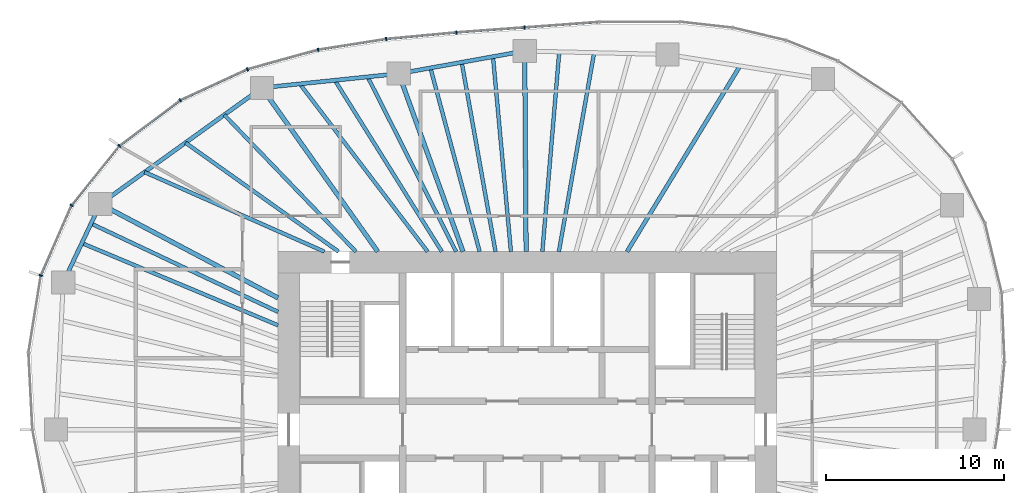
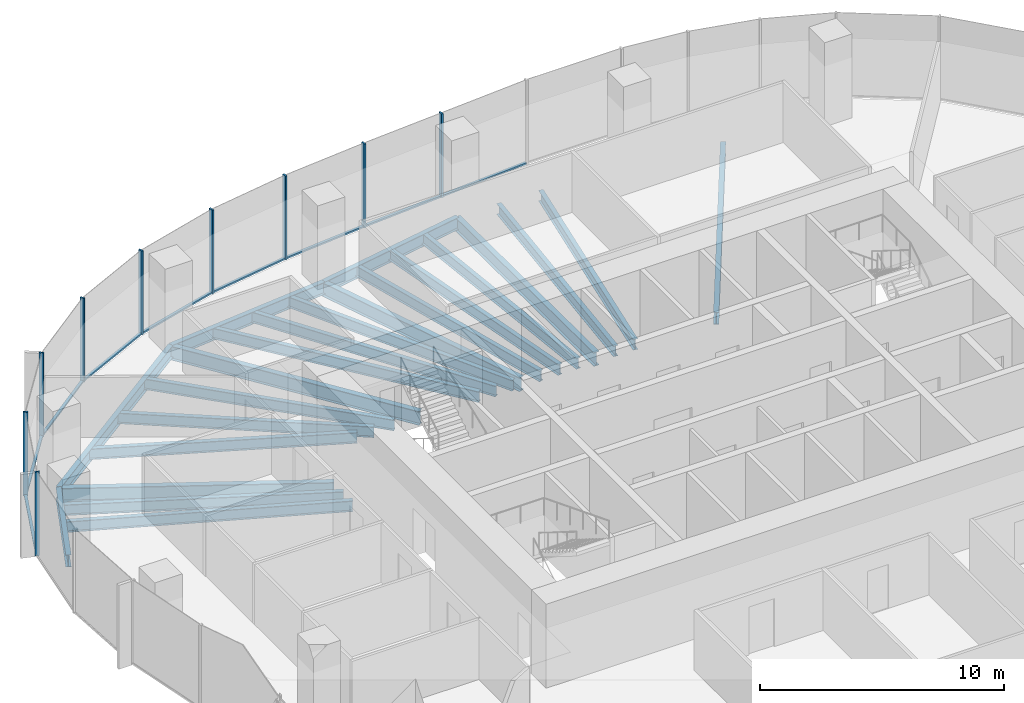
# One storey, part 5 of 12: 22 beams, 18 members, 6 elements without a shape of their own.
"""IFC4 building model written with IfcOpenShell, lengths in metres."""

import ifcopenshell
import ifcopenshell.guid

model = None  # the IFC model being written
_history = None  # IfcOwnerHistory: only IFC2X3 demands one
_inside = {}  # id of a spatial element -> (the spatial element, [elements in it])
_under = {}  # id of a project, library or spatial element -> (it, [spatial elements below it])
_declared = {}  # id of a project -> (the project, [libraries it declares])
_typed = {}  # id of a type object -> (the type object, [elements of that type])
_made_of = {}  # id of a material, layer set ... -> (it, [elements and type objects made of it])


def new_model(schema):
    """Start an empty IFC model of exactly this schema.

    Asked for "IFC4X3", IfcOpenShell would pick the latest addendum, in which some entities
    have other attributes; the version numbers below select the first issue.
    IFC2X3 requires an IfcOwnerHistory on every rooted entity: one is made here for all.
    """
    global model, _history
    if schema == "IFC4X3":
        model = ifcopenshell.file(schema_version=(4, 3, 0, 0))
    else:
        model = ifcopenshell.file(schema=schema)
    _inside.clear()
    _under.clear()
    _declared.clear()
    _typed.clear()
    _made_of.clear()
    _history = None
    if model.schema == "IFC2X3":
        org = make("IfcOrganization", Name="unknown")
        user = make(
            "IfcPersonAndOrganization",
            ThePerson=make("IfcPerson", FamilyName="unknown"),
            TheOrganization=org,
        )
        app = make(
            "IfcApplication",
            ApplicationDeveloper=org,
            Version="unknown",
            ApplicationFullName="unknown",
            ApplicationIdentifier="unknown",
        )
        _history = make(
            "IfcOwnerHistory",
            OwningUser=user,
            OwningApplication=app,
            ChangeAction="ADDED",
            CreationDate=0,
        )
    return model


def make(cls, **values):
    """One entity of the class cls with the attributes given. An attribute that is None is left unset."""
    return model.create_entity(
        cls, **{name: value for name, value in values.items() if value is not None}
    )


def rooted(cls, **values):
    """An entity with a GlobalId (a new one), such as an element, a storey or a relation."""
    return make(cls, GlobalId=ifcopenshell.guid.new(), OwnerHistory=_history, **values)


def si_unit(unit_type, name, prefix=None):
    """IfcSIUnit, for example si_unit("LENGTHUNIT", "METRE", prefix="MILLI")."""
    return make("IfcSIUnit", UnitType=unit_type, Prefix=prefix, Name=name)


def assignment(units):
    """IfcUnitAssignment: the units of a project."""
    return None if units is None else make("IfcUnitAssignment", Units=units)


def point(xyz):
    """IfcCartesianPoint."""
    return None if xyz is None else make("IfcCartesianPoint", Coordinates=xyz)


def direction(xyz):
    """IfcDirection."""
    return None if xyz is None else make("IfcDirection", DirectionRatios=xyz)


def frame(location, z_axis=None, x_axis=None):
    """IfcAxis2Placement3D, a coordinate frame: its origin and axes. An axis left out is left unset."""
    return make(
        "IfcAxis2Placement3D",
        Location=point(location),
        Axis=direction(z_axis),
        RefDirection=direction(x_axis),
    )


def frame_2d(location, x_axis=None):
    """IfcAxis2Placement2D, a coordinate frame in the plane: its origin and x axis."""
    return make(
        "IfcAxis2Placement2D", Location=point(location), RefDirection=direction(x_axis)
    )


def origin():
    """The frame at (0, 0, 0) with its axes left unset."""
    return frame((0.0, 0.0, 0.0))


def origin_2d():
    """The frame at (0, 0) in the plane with its x axis left unset."""
    return frame_2d((0.0, 0.0))


def place(relative_to, where):
    """IfcLocalPlacement: puts the frame where relative to a parent placement (None: the world)."""
    return make(
        "IfcLocalPlacement", PlacementRelTo=relative_to, RelativePlacement=where
    )


def context(
    kind, dimensions, precision=None, world=None, true_north=None, identifier=None
):
    """IfcGeometricRepresentationContext, for example the 3D "Model" context."""
    return make(
        "IfcGeometricRepresentationContext",
        ContextIdentifier=identifier,
        ContextType=kind,
        CoordinateSpaceDimension=dimensions,
        Precision=precision,
        WorldCoordinateSystem=world,
        TrueNorth=true_north,
    )


def subcontext(parent, identifier, kind, view, scale=None):
    """IfcGeometricRepresentationSubContext, for example "Body" below "Model"."""
    return make(
        "IfcGeometricRepresentationSubContext",
        ContextIdentifier=identifier,
        ContextType=kind,
        ParentContext=parent,
        TargetScale=scale,
        TargetView=view,
    )


def project(units=None, contexts=None):
    """IfcProject with its units and contexts."""
    return rooted(
        "IfcProject",
        Name="project",
        RepresentationContexts=contexts,
        UnitsInContext=assignment(units),
    )


def spatial(cls, under=None, at=None, **own):
    """A site, building, storey or space (cls), placed at a placement, below another one or the project."""
    s = rooted(cls, ObjectPlacement=at, **own)
    if under is not None:
        _under.setdefault(under.id(), (under, []))[1].append(s)
    return s


def profile(cls, at=None, kind="AREA", **sizes):
    """A parametric profile (cls). Its sizes go by their IFC names, for example OverallWidth=200.0."""
    return make(cls, ProfileType=kind, Position=at, **sizes)


def rectangle(**sizes):
    """IfcRectangleProfileDef."""
    return profile("IfcRectangleProfileDef", **sizes)


def i_section(**sizes):
    """IfcIShapeProfileDef."""
    return profile("IfcIShapeProfileDef", **sizes)


def extrude(swept, where, along, depth):
    """IfcExtrudedAreaSolid: the profile swept, set in the frame where, extruded along a direction by depth."""
    return make(
        "IfcExtrudedAreaSolid",
        SweptArea=swept,
        Position=where,
        ExtrudedDirection=direction(along),
        Depth=depth,
    )


def shape(context_of_items, identifier, shape_type, items):
    """IfcShapeRepresentation: the items that make up one representation, for example the "Body"."""
    return make(
        "IfcShapeRepresentation",
        ContextOfItems=context_of_items,
        RepresentationIdentifier=identifier,
        RepresentationType=shape_type,
        Items=items,
    )


def material(Name=None, Category=None):
    """IfcMaterial."""
    return make("IfcMaterial", Name=Name, Category=Category)


def material_profile(
    of_material, cross_section, Name=None, Category=None, Priority=None
):
    """IfcMaterialProfile: a cross section and its material."""
    return make(
        "IfcMaterialProfile",
        Name=Name,
        Material=of_material,
        Profile=cross_section,
        Priority=Priority,
        Category=Category,
    )


def profile_set(profiles, Name=None, composite=None):
    """IfcMaterialProfileSet."""
    return make(
        "IfcMaterialProfileSet",
        Name=Name,
        MaterialProfiles=profiles,
        CompositeProfile=composite,
    )


def made_of(thing, what):
    """Note that an element or type object is made of a material, layer set ...; save() writes the relation."""
    if what is not None:
        _made_of.setdefault(what.id(), (what, []))[1].append(thing)
    return thing


def type_object(cls, material=None, **own):
    """A type object (cls), such as IfcWallType, which elements share."""
    return made_of(rooted(cls, **own), material)


def element(
    cls,
    number,
    at=None,
    inside=None,
    cuts=None,
    type_object=None,
    material=None,
    context=None,
    identifier="Body",
    shape_type=None,
    held_by="IfcProductDefinitionShape",
    body=None,
    shapes=None,
    **own,
):
    """One element of the class cls, such as IfcWall. Its Tag is "e" and its number.

    at: its placement. inside: the storey or other place that contains it. cuts: it is an
    opening in that element (IfcRelVoidsElement). A single representation is given by context,
    identifier, shape_type and body (its items); several are given by shapes. held_by: the class
    of the entity that holds the representations. save() writes the other relations.
    """
    e = rooted(cls, Tag="e%d" % number, ObjectPlacement=at, **own)
    if body is not None:
        shapes = [shape(context, identifier, shape_type, body)]
    if shapes is not None:
        e.Representation = make(held_by, Representations=shapes)
    if inside is not None:
        _inside.setdefault(inside.id(), (inside, []))[1].append(e)
    if cuts is not None:
        rooted(
            "IfcRelVoidsElement", RelatingBuildingElement=cuts, RelatedOpeningElement=e
        )
    if type_object is not None:
        _typed.setdefault(type_object.id(), (type_object, []))[1].append(e)
    return made_of(e, material)


def aggregate(whole, parts):
    """IfcRelAggregates: a whole, such as a stair, and the parts it consists of."""
    return rooted("IfcRelAggregates", RelatingObject=whole, RelatedObjects=parts)


def save(model, path):
    """Write the relations noted so far, then the file.

    IfcRelAggregates (storeys below a building ...), IfcRelContainedInSpatialStructure (elements
    in a storey), IfcRelDefinesByType, IfcRelAssociatesMaterial and IfcRelDeclares: one each for
    every whole, place, type object, material and project.
    """
    for whole, parts in _under.values():
        aggregate(whole, parts)
    for where, things in _inside.values():
        rooted(
            "IfcRelContainedInSpatialStructure",
            RelatedElements=things,
            RelatingStructure=where,
        )
    for kind, things in _typed.values():
        rooted("IfcRelDefinesByType", RelatedObjects=things, RelatingType=kind)
    for what, things in _made_of.values():
        rooted("IfcRelAssociatesMaterial", RelatedObjects=things, RelatingMaterial=what)
    for by, libraries in _declared.values():
        rooted("IfcRelDeclares", RelatingContext=by, RelatedDefinitions=libraries)
    model.write(path)


model = new_model("IFC4")

# Units and contexts
model_context = context("Model", 3, precision=1e-05, world=origin(), true_north=direction((0.0, 1.0)))
body_context = subcontext(model_context, "Body", "Model", "MODEL_VIEW")
ifc_project = project(units=[si_unit("LENGTHUNIT", "METRE"), si_unit("AREAUNIT", "SQUARE_METRE"), si_unit("VOLUMEUNIT", "CUBIC_METRE"), si_unit("PLANEANGLEUNIT", "RADIAN"), si_unit("MASSUNIT", "GRAM", prefix="KILO")], contexts=[model_context])

# Site, building, storey
site_placement = place(None, origin())
site = spatial("IfcSite", under=ifc_project, at=site_placement, CompositionType="ELEMENT")
building_placement = place(site_placement, origin())
building = spatial("IfcBuilding", under=site, at=building_placement, Name="Ghaith Harvest Tower", CompositionType="ELEMENT")
storey_placement = place(building_placement, frame((0.0, 0.0, 228.39990234375)))
storey = spatial("IfcBuildingStorey", under=building, at=storey_placement, Name="L50", CompositionType="ELEMENT", Elevation=228.39990234375)

# Curtain wall, members
ifc_material_1 = material(Name="Black anodised aluminium and fritted glass", Category="aluminium")
curtain_wall_type = type_object("IfcCurtainWallType", Name="CW-H CURTAIN WALL", PredefinedType="NOTDEFINED", material=ifc_material_1)
curtain_wall_1_placement = place(storey_placement, origin())
curtain_wall_1 = element("IfcCurtainWall", 1, at=curtain_wall_1_placement, inside=storey, type_object=curtain_wall_type, Name="Curtain wall CW-H bay 06 L50", PredefinedType="NOTDEFINED")
ifc_material_2 = material(Name="Aluminium, black anodised", Category="aluminium")
ifc_material_profile_1 = material_profile(ifc_material_2, rectangle(XDim=0.080078125, YDim=0.199951171875, at=origin_2d()), Name="CW-H MULLION 80x200")
ifc_profile_set_1 = profile_set([ifc_material_profile_1], Name="Aluminium, black anodised")
member_type_1 = type_object("IfcMemberType", Name="CW-H MULLION 80x200", PredefinedType="MULLION", material=ifc_profile_set_1)
member_1_placement = place(storey_placement, frame((-0.154541015625, 22.590576171875, 0.0), z_axis=(0.0, 0.0, 1.0), x_axis=(-0.997329249665, -0.073036756239, 0.0)))
member_1 = element("IfcMember", 2, at=member_1_placement, type_object=member_type_1, Name="CW-H mullion 1 bay 06 L50", PredefinedType="MULLION", context=body_context, shape_type="SweptSolid", body=[
    extrude(rectangle(XDim=0.080078125, YDim=0.199951171875, at=origin_2d()), origin(), (0.0, 0.0, 1.0), 4.2001953125),
])
member_2_placement = place(storey_placement, frame((-3.984375, 22.310302734375, 0.0), z_axis=(0.0, 0.0, 1.0), x_axis=(-0.996522526822, -0.083323787336, 0.0)))
member_2 = element("IfcMember", 3, at=member_2_placement, type_object=member_type_1, Name="CW-H mullion 2 bay 06 L50", PredefinedType="MULLION", context=body_context, shape_type="SweptSolid", body=[
    extrude(rectangle(XDim=0.080078125, YDim=0.199951171875, at=origin_2d()), origin(), (0.0, 0.0, 1.0), 4.2001953125),
])

curtain_wall_2_placement = place(storey_placement, origin())
curtain_wall_2 = element("IfcCurtainWall", 4, at=curtain_wall_2_placement, inside=storey, type_object=curtain_wall_type, Name="Curtain wall CW-H bay 07 L50", PredefinedType="NOTDEFINED")
member_3_placement = place(storey_placement, frame((-7.924560546875, 21.94091796875, 0.0), z_axis=(0.0, 0.0, 1.0), x_axis=(-0.992235485325, -0.124373396119, 0.0)))
member_3 = element("IfcMember", 5, at=member_3_placement, type_object=member_type_1, Name="CW-H mullion 1 bay 07 L50", PredefinedType="MULLION", context=body_context, shape_type="SweptSolid", body=[
    extrude(rectangle(XDim=0.080078125, YDim=0.199951171875, at=origin_2d()), origin(), (0.0, 0.0, 1.0), 4.2001953125),
])
member_4_placement = place(storey_placement, frame((-11.75244140625, 21.336669921875, 0.0), z_axis=(0.0, 0.0, 1.0), x_axis=(-0.977086484172, -0.212842670646, 0.0)))
member_4 = element("IfcMember", 6, at=member_4_placement, type_object=member_type_1, Name="CW-H mullion 2 bay 07 L50", PredefinedType="MULLION", context=body_context, shape_type="SweptSolid", body=[
    extrude(rectangle(XDim=0.080078125, YDim=0.199951171875, at=origin_2d()), origin(), (0.0, 0.0, 1.0), 4.2001953125),
])

curtain_wall_3_placement = place(storey_placement, origin())
curtain_wall_3 = element("IfcCurtainWall", 7, at=curtain_wall_3_placement, inside=storey, type_object=curtain_wall_type, Name="Curtain wall CW-H bay 08 L50", PredefinedType="NOTDEFINED")
member_5_placement = place(storey_placement, frame((-15.720947265625, 20.242431640625, 0.0), z_axis=(0.0, 0.0, 1.0), x_axis=(-0.938930986476, -0.344105510906, 0.0)))
member_5 = element("IfcMember", 8, at=member_5_placement, type_object=member_type_1, Name="CW-H mullion 1 bay 08 L50", PredefinedType="MULLION", context=body_context, shape_type="SweptSolid", body=[
    extrude(rectangle(XDim=0.080078125, YDim=0.199951171875, at=origin_2d()), origin(), (0.0, 0.0, 1.0), 4.2001953125),
])
member_6_placement = place(storey_placement, frame((-19.4951171875, 18.4990234375, 0.0), z_axis=(0.0, 0.0, 1.0), x_axis=(-0.857998754004, -0.513651767376, 0.0)))
member_6 = element("IfcMember", 9, at=member_6_placement, type_object=member_type_1, Name="CW-H mullion 2 bay 08 L50", PredefinedType="MULLION", context=body_context, shape_type="SweptSolid", body=[
    extrude(rectangle(XDim=0.080078125, YDim=0.199951171875, at=origin_2d()), origin(), (0.0, 0.0, 1.0), 4.2001953125),
])

curtain_wall_4_placement = place(storey_placement, origin())
curtain_wall_4 = element("IfcCurtainWall", 10, at=curtain_wall_4_placement, inside=storey, type_object=curtain_wall_type, Name="Curtain wall CW-H bay 09 L50", PredefinedType="NOTDEFINED")
member_7_placement = place(storey_placement, frame((-22.908203125, 15.939697265625, 0.0), z_axis=(0.0, 0.0, 1.0), x_axis=(-0.719146135082, -0.694858860774, 0.0)))
member_7 = element("IfcMember", 11, at=member_7_placement, type_object=member_type_1, Name="CW-H mullion 1 bay 09 L50", PredefinedType="MULLION", context=body_context, shape_type="SweptSolid", body=[
    extrude(rectangle(XDim=0.080078125, YDim=0.199951171875, at=origin_2d()), origin(), (0.0, 0.0, 1.0), 4.2001953125),
])
member_8_placement = place(storey_placement, frame((-25.599609375, 12.6005859375, 0.0), z_axis=(0.0, 0.0, 1.0), x_axis=(-0.518769201232, -0.854914332464, 0.0)))
member_8 = element("IfcMember", 12, at=member_8_placement, type_object=member_type_1, Name="CW-H mullion 2 bay 09 L50", PredefinedType="MULLION", context=body_context, shape_type="SweptSolid", body=[
    extrude(rectangle(XDim=0.080078125, YDim=0.199951171875, at=origin_2d()), origin(), (0.0, 0.0, 1.0), 4.2001953125),
])

# Curtain wall, member
curtain_wall_5_placement = place(storey_placement, origin())
curtain_wall_5 = element("IfcCurtainWall", 13, at=curtain_wall_5_placement, inside=storey, type_object=curtain_wall_type, Name="Curtain wall CW-H bay 10 L50", PredefinedType="NOTDEFINED")
member_9_placement = place(storey_placement, frame((-27.32568359375, 8.659912109375, 0.0), z_axis=(0.0, 0.0, 1.0), x_axis=(-0.280520268431, -0.959848102045, 0.0)))
member_9 = element("IfcMember", 14, at=member_9_placement, type_object=member_type_1, Name="CW-H mullion 1 bay 10 L50", PredefinedType="MULLION", context=body_context, shape_type="SweptSolid", body=[
    extrude(rectangle(XDim=0.080078125, YDim=0.199951171875, at=origin_2d()), origin(), (0.0, 0.0, 1.0), 4.2001953125),
])
aggregate(curtain_wall_5, [member_9])

curtain_wall_6_placement = place(storey_placement, origin())
curtain_wall_6 = element("IfcCurtainWall", 15, at=curtain_wall_6_placement, inside=storey, type_object=curtain_wall_type, Name="Curtain wall CW-H bay 05 L50", PredefinedType="NOTDEFINED")
ifc_material_3 = material(Name="Aluminium, black anodised", Category="aluminium")
ifc_material_profile_2 = material_profile(ifc_material_3, rectangle(XDim=0.1298828125, YDim=0.080078125, at=origin_2d()), Name="CW-H TRANSOM 130x80")
ifc_profile_set_2 = profile_set([ifc_material_profile_2], Name="Aluminium, black anodised")
member_type_2 = type_object("IfcMemberType", Name="CW-H TRANSOM 130x80", PredefinedType="USERDEFINED", material=ifc_profile_set_2)
member_10_placement = place(storey_placement, frame((4.01953125, 22.896484375, 0.0400390625), z_axis=(-0.997325457985, -0.07308851384, 0.0), x_axis=(0.07308851384, -0.997325457985, 0.0)))
member_10 = element("IfcMember", 16, at=member_10_placement, type_object=member_type_2, Name="CW-H transom 2 bay 05 L50", ObjectType="TRANSOM", PredefinedType="USERDEFINED", context=body_context, shape_type="SweptSolid", body=[
    extrude(rectangle(XDim=0.1298828125, YDim=0.080078125, at=origin_2d()), origin(), (0.0, 0.0, 1.0), 4.145263671875),
])
aggregate(curtain_wall_6, [member_10])

# Member
member_11_placement = place(storey_placement, frame((-0.194580078125, 22.587646484375, 0.0400390625), z_axis=(-0.997332916649, -0.072986665689, 0.0), x_axis=(0.072986665689, -0.997332916649, 0.0)))
member_11 = element("IfcMember", 17, at=member_11_placement, type_object=member_type_2, Name="CW-H transom 1 bay 06 L50", ObjectType="TRANSOM", PredefinedType="USERDEFINED", context=body_context, shape_type="SweptSolid", body=[
    extrude(rectangle(XDim=0.1298828125, YDim=0.080078125, at=origin_2d()), origin(), (0.0, 0.0, 1.0), 3.759765625),
])

member_12_placement = place(storey_placement, frame((-4.024169921875, 22.306640625, 0.0400390625), z_axis=(-0.995631116984, -0.093373866217, 0.0), x_axis=(0.093373866217, -0.995631116984, 0.0)))
member_12 = element("IfcMember", 18, at=member_12_placement, type_object=member_type_2, Name="CW-H transom 2 bay 06 L50", ObjectType="TRANSOM", PredefinedType="USERDEFINED", context=body_context, shape_type="SweptSolid", body=[
    extrude(rectangle(XDim=0.1298828125, YDim=0.080078125, at=origin_2d()), origin(), (0.0, 0.0, 1.0), 3.87744140625),
])

aggregate(curtain_wall_1, [member_1, member_11, member_2, member_12])

member_13_placement = place(storey_placement, frame((-7.964111328125, 21.9345703125, 0.0400390625), z_axis=(-0.98776765914, -0.155932843097, 0.0), x_axis=(0.155932843097, -0.98776765914, 0.0)))
member_13 = element("IfcMember", 19, at=member_13_placement, type_object=member_type_2, Name="CW-H transom 1 bay 07 L50", ObjectType="TRANSOM", PredefinedType="USERDEFINED", context=body_context, shape_type="SweptSolid", body=[
    extrude(rectangle(XDim=0.1298828125, YDim=0.080078125, at=origin_2d()), origin(), (0.0, 0.0, 1.0), 3.795166015625),
])

member_14_placement = place(storey_placement, frame((-11.791015625, 21.325927734375, 0.0400390625), z_axis=(-0.964038584245, -0.265762315024, 0.0), x_axis=(0.265762315024, -0.964038584245, 0.0)))
member_14 = element("IfcMember", 20, at=member_14_placement, type_object=member_type_2, Name="CW-H transom 2 bay 07 L50", ObjectType="TRANSOM", PredefinedType="USERDEFINED", context=body_context, shape_type="SweptSolid", body=[
    extrude(rectangle(XDim=0.1298828125, YDim=0.080078125, at=origin_2d()), origin(), (0.0, 0.0, 1.0), 4.03662109375),
])

aggregate(curtain_wall_2, [member_3, member_13, member_4, member_14])

member_15_placement = place(storey_placement, frame((-15.75732421875, 20.2255859375, 0.0400390625), z_axis=(-0.907831404762, -0.419335355686, 0.0), x_axis=(0.419335355686, -0.907831404762, 0.0)))
member_15 = element("IfcMember", 21, at=member_15_placement, type_object=member_type_2, Name="CW-H transom 1 bay 08 L50", ObjectType="TRANSOM", PredefinedType="USERDEFINED", context=body_context, shape_type="SweptSolid", body=[
    extrude(rectangle(XDim=0.1298828125, YDim=0.080078125, at=origin_2d()), origin(), (0.0, 0.0, 1.0), 4.0771484375),
])

member_16_placement = place(storey_placement, frame((-19.527099609375, 18.47509765625, 0.0400390625), z_axis=(-0.800041988873, -0.599944010755, 0.0), x_axis=(0.599944010755, -0.800041988873, 0.0)))
member_16 = element("IfcMember", 22, at=member_16_placement, type_object=member_type_2, Name="CW-H transom 2 bay 08 L50", ObjectType="TRANSOM", PredefinedType="USERDEFINED", context=body_context, shape_type="SweptSolid", body=[
    extrude(rectangle(XDim=0.1298828125, YDim=0.080078125, at=origin_2d()), origin(), (0.0, 0.0, 1.0), 4.186279296875),
])

aggregate(curtain_wall_3, [member_5, member_15, member_6, member_16])

member_17_placement = place(storey_placement, frame((-22.933349609375, 15.90869140625, 0.0400390625), z_axis=(-0.6275347306, -0.778588570357, 0.0), x_axis=(0.778588570357, -0.6275347306, 0.0)))
member_17 = element("IfcMember", 23, at=member_17_placement, type_object=member_type_2, Name="CW-H transom 1 bay 09 L50", ObjectType="TRANSOM", PredefinedType="USERDEFINED", context=body_context, shape_type="SweptSolid", body=[
    extrude(rectangle(XDim=0.1298828125, YDim=0.080078125, at=origin_2d()), origin(), (0.0, 0.0, 1.0), 4.208740234375),
])

member_18_placement = place(storey_placement, frame((-25.61572265625, 12.56396484375, 0.0400390625), z_axis=(-0.401185844746, -0.915996680112, 0.0), x_axis=(0.915996680112, -0.401185844746, 0.0)))
member_18 = element("IfcMember", 24, at=member_18_placement, type_object=member_type_2, Name="CW-H transom 2 bay 09 L50", ObjectType="TRANSOM", PredefinedType="USERDEFINED", context=body_context, shape_type="SweptSolid", body=[
    extrude(rectangle(XDim=0.1298828125, YDim=0.080078125, at=origin_2d()), origin(), (0.0, 0.0, 1.0), 4.22216796875),
])

aggregate(curtain_wall_4, [member_7, member_17, member_8, member_18])

# Beams
ifc_material_4 = material(Name="Steel ASTM A992 Grade 50", Category="steel")
ifc_material_profile_3 = material_profile(ifc_material_4, i_section(OverallWidth=0.22900390625, OverallDepth=0.612060546875, WebThickness=0.011962890625, FlangeThickness=0.01953125, at=origin_2d()), Name="W610X125")
ifc_profile_set_3 = profile_set([ifc_material_profile_3], Name="Steel ASTM A992 Grade 50")
beam_type_1 = type_object("IfcBeamType", Name="E610-125 W610X125", PredefinedType="SPANDREL", material=ifc_profile_set_3)
beam_1_placement = place(storey_placement, frame((-0.14599609375, 21.27099609375, -0.475830078125), z_axis=(-0.984177047684, -0.177187863051, 0.0), x_axis=(0.177187863051, -0.984177047684, 0.0)))
element("IfcBeam", 25, at=beam_1_placement, inside=storey, type_object=beam_type_1, Name="Edge beam E06 L50", PredefinedType="SPANDREL", context=body_context, shape_type="SweptSolid", body=[
    extrude(i_section(OverallWidth=0.22900390625, OverallDepth=0.612060546875, WebThickness=0.011962890625, FlangeThickness=0.01953125, at=origin_2d()), origin(), (0.0, 0.0, 1.0), 7.189697265625),
])
beam_2_placement = place(storey_placement, frame((-7.221923828125, 19.9970703125, -0.475830078125), z_axis=(-0.994669141618, -0.103117887451, 0.0), x_axis=(0.103117887451, -0.994669141618, 0.0)))
element("IfcBeam", 26, at=beam_2_placement, inside=storey, type_object=beam_type_1, Name="Edge beam E07 L50", PredefinedType="SPANDREL", context=body_context, shape_type="SweptSolid", body=[
    extrude(i_section(OverallWidth=0.22900390625, OverallDepth=0.612060546875, WebThickness=0.011962890625, FlangeThickness=0.01953125, at=origin_2d()), origin(), (0.0, 0.0, 1.0), 7.730224609375),
])
beam_3_placement = place(storey_placement, frame((-14.910888671875, 19.199951171875, -0.475830078125), z_axis=(-0.812050311838, -0.583587432219, 0.0), x_axis=(0.583587432219, -0.812050311838, 0.0)))
element("IfcBeam", 27, at=beam_3_placement, inside=storey, type_object=beam_type_1, Name="Edge beam E08 L50", PredefinedType="SPANDREL", context=body_context, shape_type="SweptSolid", body=[
    extrude(i_section(OverallWidth=0.22900390625, OverallDepth=0.612060546875, WebThickness=0.011962890625, FlangeThickness=0.01953125, at=origin_2d()), origin(), (0.0, 0.0, 1.0), 11.175537109375),
])
beam_4_placement = place(storey_placement, frame((-23.986083984375, 12.677978515625, -0.475830078125), z_axis=(-0.426170247297, -0.904642979478, 0.0), x_axis=(0.904642979478, -0.426170247297, 0.0)))
element("IfcBeam", 28, at=beam_4_placement, inside=storey, type_object=beam_type_1, Name="Edge beam E09 L50", PredefinedType="SPANDREL", context=body_context, shape_type="SweptSolid", body=[
    extrude(i_section(OverallWidth=0.22900390625, OverallDepth=0.612060546875, WebThickness=0.011962890625, FlangeThickness=0.01953125, at=origin_2d()), origin(), (0.0, 0.0, 1.0), 4.882568359375),
])
ifc_material_5 = material(Name="Steel ASTM A992 Grade 50", Category="steel")
ifc_material_profile_4 = material_profile(ifc_material_5, i_section(OverallWidth=0.256103515625, OverallDepth=0.693115234375, WebThickness=0.014404296875, FlangeThickness=0.023681640625, at=origin_2d()), Name="W690X170")
ifc_profile_set_4 = profile_set([ifc_material_profile_4], Name="Steel ASTM A992 Grade 50")
beam_type_2 = type_object("IfcBeamType", Name="G690-170 W690X170", PredefinedType="BEAM", material=ifc_profile_set_4)
beam_5_placement = place(storey_placement, frame((-0.068359375, 10.0, -0.516357421875), z_axis=(-0.006888022705, 0.99997627729, 0.0), x_axis=(-0.99997627729, -0.006888022705, 0.0)))
element("IfcBeam", 29, at=beam_5_placement, inside=storey, type_object=beam_type_2, Name="Radial girder G06 L50", PredefinedType="BEAM", context=body_context, shape_type="SweptSolid", body=[
    extrude(i_section(OverallWidth=0.256103515625, OverallDepth=0.693115234375, WebThickness=0.014404296875, FlangeThickness=0.023681640625, at=origin_2d()), origin(), (0.0, 0.0, 1.0), 11.271240234375),
])
beam_6_placement = place(storey_placement, frame((-3.61181640625, 10.0, -0.516357421875), z_axis=(-0.339648979266, 0.940552269086, 0.0), x_axis=(-0.940552269086, -0.339648979266, 0.0)))
element("IfcBeam", 30, at=beam_6_placement, inside=storey, type_object=beam_type_2, Name="Radial girder G07 L50", PredefinedType="BEAM", context=body_context, shape_type="SweptSolid", body=[
    extrude(i_section(OverallWidth=0.256103515625, OverallDepth=0.693115234375, WebThickness=0.014404296875, FlangeThickness=0.023681640625, at=origin_2d()), origin(), (0.0, 0.0, 1.0), 10.62890625),
])
beam_7_placement = place(storey_placement, frame((-8.39990234375, 10.0, -0.516357421875), z_axis=(-0.577683734365, 0.816260683268, 0.0), x_axis=(-0.816260683268, -0.577683734365, 0.0)))
element("IfcBeam", 31, at=beam_7_placement, inside=storey, type_object=beam_type_2, Name="Radial girder G08 L50", PredefinedType="BEAM", context=body_context, shape_type="SweptSolid", body=[
    extrude(i_section(OverallWidth=0.256103515625, OverallDepth=0.693115234375, WebThickness=0.014404296875, FlangeThickness=0.023681640625, at=origin_2d()), origin(), (0.0, 0.0, 1.0), 11.270751953125),
])
beam_8_placement = place(storey_placement, frame((-14.0, 7.39990234375, -0.516357421875), z_axis=(-0.884105273337, 0.467287776062, 0.0), x_axis=(-0.467287776062, -0.884105273337, 0.0)))
element("IfcBeam", 32, at=beam_8_placement, inside=storey, type_object=beam_type_2, Name="Radial girder G09 L50", PredefinedType="BEAM", context=body_context, shape_type="SweptSolid", body=[
    extrude(i_section(OverallWidth=0.256103515625, OverallDepth=0.693115234375, WebThickness=0.014404296875, FlangeThickness=0.023681640625, at=origin_2d()), origin(), (0.0, 0.0, 1.0), 11.295166015625),
])
ifc_material_6 = material(Name="Steel ASTM A992 Grade 50", Category="steel")
ifc_material_profile_5 = material_profile(ifc_material_6, i_section(OverallWidth=0.2109375, OverallDepth=0.5390625, WebThickness=0.01171875, FlangeThickness=0.018798828125, at=origin_2d()), Name="W530X109")
ifc_profile_set_5 = profile_set([ifc_material_profile_5], Name="Steel ASTM A992 Grade 50")
beam_type_3 = type_object("IfcBeamType", Name="J530-109 W530X109", PredefinedType="JOIST", material=ifc_profile_set_5)
beam_9_placement = place(storey_placement, frame((1.772705078125, 10.0, -0.439453125), z_axis=(0.17455599258, 0.984647249249, 0.0), x_axis=(-0.984647249249, 0.17455599258, 0.0)))
element("IfcBeam", 33, at=beam_9_placement, inside=storey, type_object=beam_type_3, Name="Joist J05.2 L50", PredefinedType="JOIST", context=body_context, shape_type="SweptSolid", body=[
    extrude(i_section(OverallWidth=0.2109375, OverallDepth=0.5390625, WebThickness=0.01171875, FlangeThickness=0.018798828125, at=origin_2d()), origin(), (0.0, 0.0, 1.0), 11.3486328125),
])
beam_10_placement = place(storey_placement, frame((0.844970703125, 10.0, -0.439453125), z_axis=(0.084213263804, 0.996447753873, 0.0), x_axis=(-0.996447753873, 0.084213263804, 0.0)))
element("IfcBeam", 34, at=beam_10_placement, inside=storey, type_object=beam_type_3, Name="Joist J05.3 L50", PredefinedType="JOIST", context=body_context, shape_type="SweptSolid", body=[
    extrude(i_section(OverallWidth=0.2109375, OverallDepth=0.5390625, WebThickness=0.01171875, FlangeThickness=0.018798828125, at=origin_2d()), origin(), (0.0, 0.0, 1.0), 11.262939453125),
])
beam_11_placement = place(storey_placement, frame((-0.92041015625, 10.0, -0.439453125), z_axis=(-0.091648687045, 0.995791402937, 0.0), x_axis=(-0.995791402937, -0.091648687045, 0.0)))
element("IfcBeam", 35, at=beam_11_placement, inside=storey, type_object=beam_type_3, Name="Joist J06.1 L50", PredefinedType="JOIST", context=body_context, shape_type="SweptSolid", body=[
    extrude(i_section(OverallWidth=0.2109375, OverallDepth=0.5390625, WebThickness=0.01171875, FlangeThickness=0.018798828125, at=origin_2d()), origin(), (0.0, 0.0, 1.0), 10.99658203125),
])
beam_12_placement = place(storey_placement, frame((-1.785888671875, 10.0, -0.439453125), z_axis=(-0.175793767479, 0.984427016754, 0.0), x_axis=(-0.984427016754, -0.175793767479, 0.0)))
element("IfcBeam", 36, at=beam_12_placement, inside=storey, type_object=beam_type_3, Name="Joist J06.2 L50", PredefinedType="JOIST", context=body_context, shape_type="SweptSolid", body=[
    extrude(i_section(OverallWidth=0.2109375, OverallDepth=0.5390625, WebThickness=0.01171875, FlangeThickness=0.018798828125, at=origin_2d()), origin(), (0.0, 0.0, 1.0), 10.802001953125),
])
beam_13_placement = place(storey_placement, frame((-2.677978515625, 10.0, -0.439453125), z_axis=(-0.258674007994, 0.965964677195, 0.0), x_axis=(-0.965964677195, -0.258674007994, 0.0)))
element("IfcBeam", 37, at=beam_13_placement, inside=storey, type_object=beam_type_3, Name="Joist J06.3 L50", PredefinedType="JOIST", context=body_context, shape_type="SweptSolid", body=[
    extrude(i_section(OverallWidth=0.2109375, OverallDepth=0.5390625, WebThickness=0.01171875, FlangeThickness=0.018798828125, at=origin_2d()), origin(), (0.0, 0.0, 1.0), 10.68115234375),
])
beam_14_placement = place(storey_placement, frame((-4.0, 10.0, -0.439453125), z_axis=(-0.451646219201, 0.892197115374, 0.0), x_axis=(-0.892197115374, -0.451646219201, 0.0)))
element("IfcBeam", 38, at=beam_14_placement, inside=storey, type_object=beam_type_3, Name="Joist J07.1 L50", PredefinedType="JOIST", context=body_context, shape_type="SweptSolid", body=[
    extrude(i_section(OverallWidth=0.2109375, OverallDepth=0.5390625, WebThickness=0.01171875, FlangeThickness=0.018798828125, at=origin_2d()), origin(), (0.0, 0.0, 1.0), 11.001953125),
])
beam_15_placement = place(storey_placement, frame((-4.800048828125, 10.0, -0.439453125), z_axis=(-0.529627564093, 0.848230300893, 0.0), x_axis=(-0.848230300893, -0.529627564093, 0.0)))
element("IfcBeam", 39, at=beam_15_placement, inside=storey, type_object=beam_type_3, Name="Joist J07.2 L50", PredefinedType="JOIST", context=body_context, shape_type="SweptSolid", body=[
    extrude(i_section(OverallWidth=0.2109375, OverallDepth=0.5390625, WebThickness=0.01171875, FlangeThickness=0.018798828125, at=origin_2d()), origin(), (0.0, 0.0, 1.0), 11.34716796875),
])
beam_16_placement = place(storey_placement, frame((-5.60009765625, 10.0, -0.439453125), z_axis=(-0.605976135502, 0.795482823952, 0.0), x_axis=(-0.795482823952, -0.605976135502, 0.0)))
element("IfcBeam", 40, at=beam_16_placement, inside=storey, type_object=beam_type_3, Name="Joist J07.3 L50", PredefinedType="JOIST", context=body_context, shape_type="SweptSolid", body=[
    extrude(i_section(OverallWidth=0.2109375, OverallDepth=0.5390625, WebThickness=0.01171875, FlangeThickness=0.018798828125, at=origin_2d()), origin(), (0.0, 0.0, 1.0), 11.84326171875),
])
beam_17_placement = place(storey_placement, frame((-9.626708984375, 10.0, -0.439453125), z_axis=(-0.69354049188, 0.720417647009, 0.0), x_axis=(-0.720417647009, -0.69354049188, 0.0)))
element("IfcBeam", 41, at=beam_17_placement, inside=storey, type_object=beam_type_3, Name="Joist J08.1 L50", PredefinedType="JOIST", context=body_context, shape_type="SweptSolid", body=[
    extrude(i_section(OverallWidth=0.2109375, OverallDepth=0.5390625, WebThickness=0.01171875, FlangeThickness=0.018798828125, at=origin_2d()), origin(), (0.0, 0.0, 1.0), 10.6640625),
])
beam_18_placement = place(storey_placement, frame((-10.60009765625, 10.0, -0.439453125), z_axis=(-0.814837070547, 0.579690045164, 0.0), x_axis=(-0.579690045164, -0.814837070547, 0.0)))
element("IfcBeam", 42, at=beam_18_placement, inside=storey, type_object=beam_type_3, Name="Joist J08.2 L50", PredefinedType="JOIST", context=body_context, shape_type="SweptSolid", body=[
    extrude(i_section(OverallWidth=0.2109375, OverallDepth=0.5390625, WebThickness=0.01171875, FlangeThickness=0.018798828125, at=origin_2d()), origin(), (0.0, 0.0, 1.0), 10.5537109375),
])
beam_19_placement = place(storey_placement, frame((-11.39990234375, 10.0, -0.439453125), z_axis=(-0.914561290029, 0.40444733499, 0.0), x_axis=(-0.40444733499, -0.914561290029, 0.0)))
element("IfcBeam", 43, at=beam_19_placement, inside=storey, type_object=beam_type_3, Name="Joist J08.3 L50", PredefinedType="JOIST", context=body_context, shape_type="SweptSolid", body=[
    extrude(i_section(OverallWidth=0.2109375, OverallDepth=0.5390625, WebThickness=0.01171875, FlangeThickness=0.018798828125, at=origin_2d()), origin(), (0.0, 0.0, 1.0), 11.041748046875),
])
beam_20_placement = place(storey_placement, frame((-14.0, 6.614990234375, -0.439453125), z_axis=(-0.904154184779, 0.427206285238, 0.0), x_axis=(-0.427206285238, -0.904154184779, 0.0)))
element("IfcBeam", 44, at=beam_20_placement, inside=storey, type_object=beam_type_3, Name="Joist J09.1 L50", PredefinedType="JOIST", context=body_context, shape_type="SweptSolid", body=[
    extrude(i_section(OverallWidth=0.2109375, OverallDepth=0.5390625, WebThickness=0.01171875, FlangeThickness=0.018798828125, at=origin_2d()), origin(), (0.0, 0.0, 1.0), 11.61767578125),
])
beam_21_placement = place(storey_placement, frame((-14.0, 5.862548828125, -0.439453125), z_axis=(-0.922380898158, 0.386281605455, 0.0), x_axis=(-0.386281605455, -0.922380898158, 0.0)))
element("IfcBeam", 45, at=beam_21_placement, inside=storey, type_object=beam_type_3, Name="Joist J09.2 L50", PredefinedType="JOIST", context=body_context, shape_type="SweptSolid", body=[
    extrude(i_section(OverallWidth=0.2109375, OverallDepth=0.5390625, WebThickness=0.01171875, FlangeThickness=0.018798828125, at=origin_2d()), origin(), (0.0, 0.0, 1.0), 11.94970703125),
])
ifc_material_7 = material(Name="Steel ASTM A992 Grade 50", Category="steel")
ifc_material_profile_6 = material_profile(ifc_material_7, i_section(OverallWidth=0.22900390625, OverallDepth=0.612060546875, WebThickness=0.011962890625, FlangeThickness=0.01953125, at=origin_2d()), Name="W610X125")
ifc_profile_set_6 = profile_set([ifc_material_profile_6], Name="Steel ASTM A992 Grade 50")
beam_type_4 = type_object("IfcBeamType", Name="J610-125 W610X125", PredefinedType="JOIST", material=ifc_profile_set_6)
beam_22_placement = place(storey_placement, frame((5.60009765625, 10.0, -0.475830078125), z_axis=(0.519863845761, 0.854249133374, 0.0), x_axis=(-0.854249133374, 0.519863845761, 0.0)))
element("IfcBeam", 46, at=beam_22_placement, inside=storey, type_object=beam_type_4, Name="Joist J04.2 L50", PredefinedType="JOIST", context=body_context, shape_type="SweptSolid", body=[
    extrude(i_section(OverallWidth=0.22900390625, OverallDepth=0.612060546875, WebThickness=0.011962890625, FlangeThickness=0.01953125, at=origin_2d()), origin(), (0.0, 0.0, 1.0), 12.209716796875),
])

save(model, "model.ifc")
